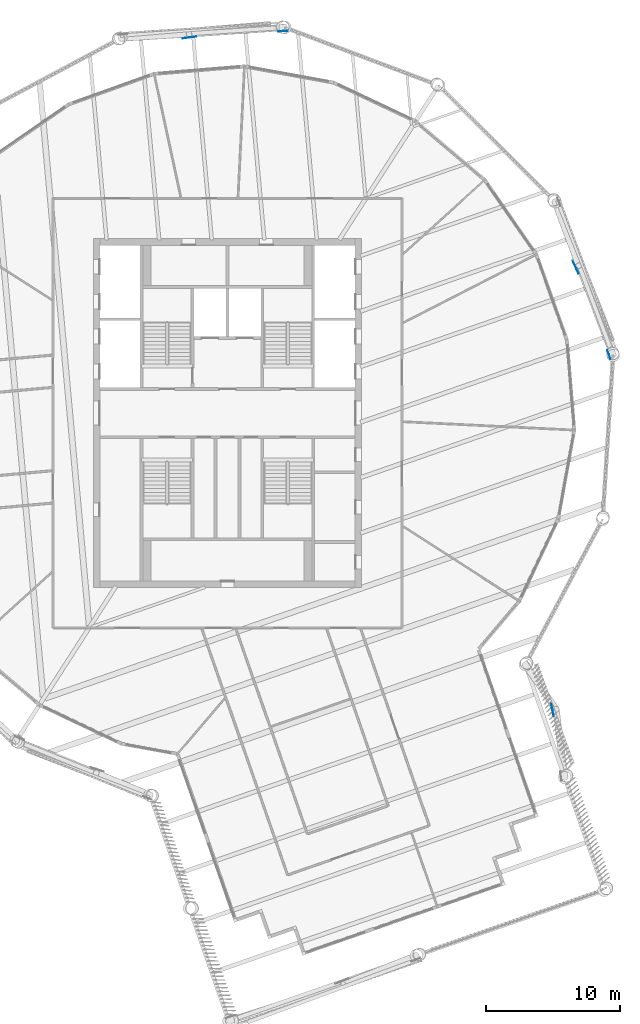
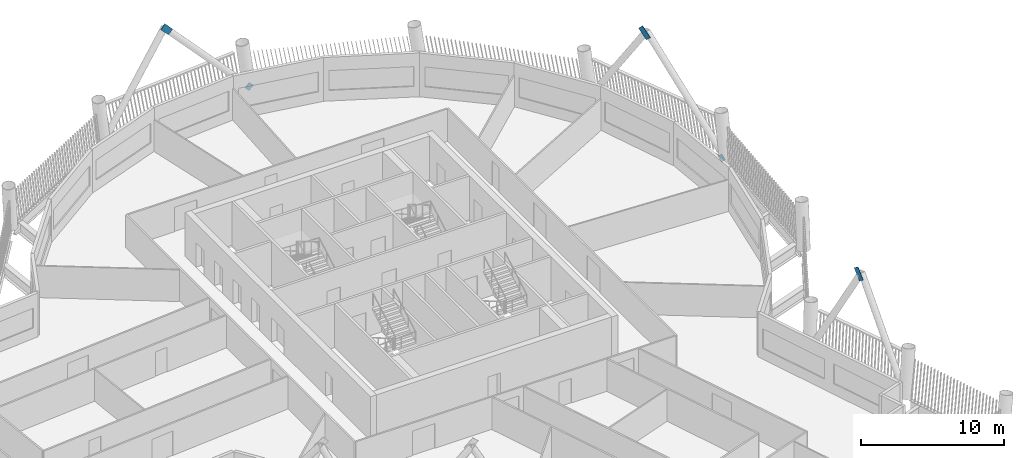
# One storey, part 11 of 23: 5 discrete accessories.
"""IFC4 building model written with IfcOpenShell, lengths in metres."""

from ifc_helpers import new_model, si_unit, direction, frame, origin, origin_2d, place, context, subcontext, project, spatial, rectangle, extrude, material, material_profile, profile_set, type_object, element, save


model = new_model("IFC4")

# Units and contexts
model_context = context("Model", 3, precision=1e-05, world=origin(), true_north=direction((0.0, 1.0)))
body_context = subcontext(model_context, "Body", "Model", "MODEL_VIEW")
ifc_project = project(units=[si_unit("LENGTHUNIT", "METRE"), si_unit("AREAUNIT", "SQUARE_METRE"), si_unit("VOLUMEUNIT", "CUBIC_METRE"), si_unit("PLANEANGLEUNIT", "RADIAN"), si_unit("MASSUNIT", "GRAM", prefix="KILO")], contexts=[model_context])

# Site, building, storey
site_placement = place(None, origin())
site = spatial("IfcSite", under=ifc_project, at=site_placement, CompositionType="ELEMENT")
building_placement = place(site_placement, origin())
building = spatial("IfcBuilding", under=site, at=building_placement, Name="Tarsis Ring Headquarters", CompositionType="ELEMENT")
storey_placement = place(building_placement, frame((0.0, 0.0, 308.0)))
storey = spatial("IfcBuildingStorey", under=building, at=storey_placement, Name="L72", CompositionType="ELEMENT", Elevation=308.0)

# Discrete accessories
ifc_material = material(Name="Structural steel S355", Category="steel")
ifc_material_profile = material_profile(ifc_material, rectangle(XDim=0.02490234375, YDim=0.5, at=origin_2d()), Name="PL 25x500")
ifc_profile_set = profile_set([ifc_material_profile], Name="Structural steel S355")
discrete_accessory_type = type_object("IfcDiscreteAccessoryType", Name="Gusset plate Exo brace 25", PredefinedType="BRACKET", material=ifc_profile_set)
discrete_accessory_1_placement = place(storey_placement, frame((24.26904296875, -22.386962890625, 7.381103515625), z_axis=(-0.105229843646, 0.535915329007, 0.837688152084), x_axis=(-0.981262406475, -0.192676126283, 0.0)))
element("IfcDiscreteAccessory", 1, at=discrete_accessory_1_placement, inside=storey, type_object=discrete_accessory_type, Name="Gusset plate GP5", PredefinedType="BRACKET", context=body_context, shape_type="SweptSolid", body=[
    extrude(rectangle(XDim=0.02490234375, YDim=0.5, at=origin_2d()), origin(), (0.0, 0.0, 1.0), 1.0),
])
discrete_accessory_2_placement = place(storey_placement, frame((28.479248046875, 4.206298828125, 0.0), z_axis=(-0.240255083074, 0.631890401417, 0.736879919427), x_axis=(-0.934716404085, -0.355394490579, 0.0)))
element("IfcDiscreteAccessory", 2, at=discrete_accessory_2_placement, inside=storey, type_object=discrete_accessory_type, Name="Gusset plate GP5", PredefinedType="BRACKET", context=body_context, shape_type="SweptSolid", body=[
    extrude(rectangle(XDim=0.02490234375, YDim=0.5, at=origin_2d()), origin(), (0.0, 0.0, 1.0), 0.5),
])
discrete_accessory_3_placement = place(storey_placement, frame((26.082275390625, 10.56982421875, 7.431640625), z_axis=(-0.282245909805, 0.614299921341, 0.736866916776), x_axis=(-0.908676843963, -0.417500171551, 0.0)))
element("IfcDiscreteAccessory", 3, at=discrete_accessory_3_placement, inside=storey, type_object=discrete_accessory_type, Name="Gusset plate GP5", PredefinedType="BRACKET", context=body_context, shape_type="SweptSolid", body=[
    extrude(rectangle(XDim=0.02490234375, YDim=0.5, at=origin_2d()), origin(), (0.0, 0.0, 1.0), 1.0),
])
discrete_accessory_4_placement = place(storey_placement, frame((4.290283203125, 28.466796875, 0.0), z_axis=(-0.6744149796, -0.045905147055, 0.736924116015), x_axis=(0.067909485669, -0.99769148626, 0.0)))
element("IfcDiscreteAccessory", 4, at=discrete_accessory_4_placement, inside=storey, type_object=discrete_accessory_type, Name="Gusset plate GP5", PredefinedType="BRACKET", context=body_context, shape_type="SweptSolid", body=[
    extrude(rectangle(XDim=0.02490234375, YDim=0.5, at=origin_2d()), origin(), (0.0, 0.0, 1.0), 0.5),
])
discrete_accessory_5_placement = place(storey_placement, frame((-2.49560546875, 28.03173828125, 7.431640625), z_axis=(-0.669941282045, -0.090822943484, 0.73683775117), x_axis=(0.134339631688, -0.990935347719, 0.0)))
element("IfcDiscreteAccessory", 5, at=discrete_accessory_5_placement, inside=storey, type_object=discrete_accessory_type, Name="Gusset plate GP5", PredefinedType="BRACKET", context=body_context, shape_type="SweptSolid", body=[
    extrude(rectangle(XDim=0.02490234375, YDim=0.5, at=origin_2d()), origin(), (0.0, 0.0, 1.0), 1.0),
])

save(model, "model.ifc")
